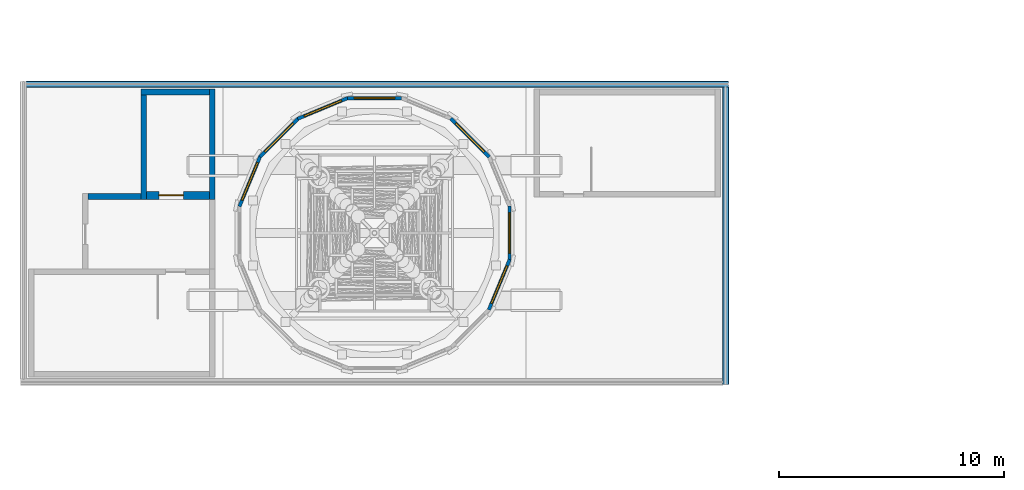
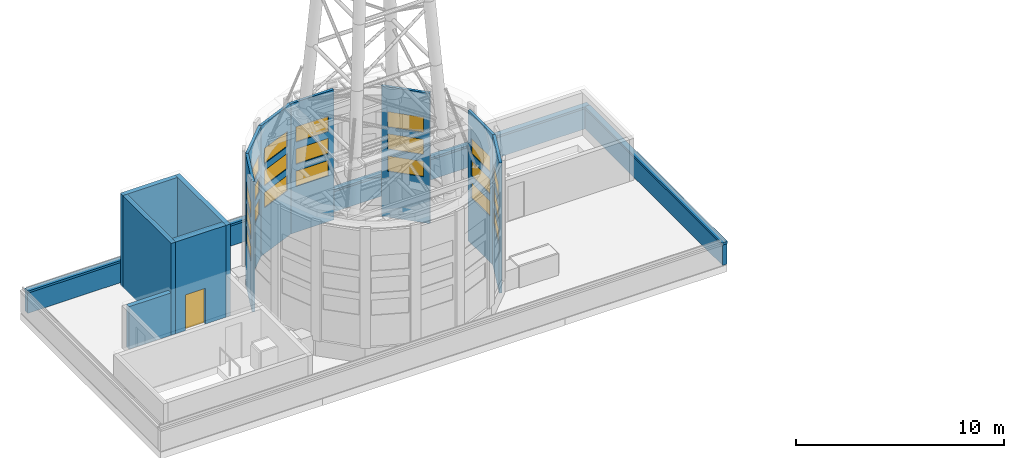
# One storey, part 12 of 36: 21 windows, 16 walls, 1 door, 22 openings.
"""IFC4 building model written with IfcOpenShell, lengths in metres."""

from ifc_helpers import new_model, si_unit, direction, frame, frame_2d, origin, place, context, subcontext, project, spatial, rectangle, extrude, material, layer, layer_set, type_object, element, fill, save


model = new_model("IFC4")

# Units and contexts
model_context = context("Model", 3, precision=1e-05, world=origin(), true_north=direction((0.0, 1.0)))
body_context = subcontext(model_context, "Body", "Model", "MODEL_VIEW")
ifc_project = project(units=[si_unit("LENGTHUNIT", "METRE"), si_unit("AREAUNIT", "SQUARE_METRE"), si_unit("VOLUMEUNIT", "CUBIC_METRE"), si_unit("PLANEANGLEUNIT", "RADIAN"), si_unit("MASSUNIT", "GRAM", prefix="KILO")], contexts=[model_context])

# Site, building, storey
site_placement = place(None, origin())
site = spatial("IfcSite", under=ifc_project, at=site_placement, CompositionType="ELEMENT")
building_placement = place(site_placement, origin())
building = spatial("IfcBuilding", under=site, at=building_placement, Name="Ipe Terrace Towers", CompositionType="ELEMENT")
storey_placement = place(building_placement, frame((0.0, 0.0, 264.89990234375)))
storey = spatial("IfcBuildingStorey", under=building, at=storey_placement, Name="Roof", CompositionType="ELEMENT", Elevation=264.89990234375)

# Walls
ifc_material_1 = material(Name="Concrete C40/50 with buff precast cladding", Category="concrete")
ifc_layer_1 = layer(ifc_material_1, 0.300048828125)
ifc_layer_set_1 = layer_set([ifc_layer_1], Name="PARAPET COPING 300")
wall_type_1 = type_object("IfcWallType", Name="PARAPET COPING 300", PredefinedType="STANDARD", material=ifc_layer_set_1)
wall_1_placement = place(storey_placement, frame((-20.375, -6.75, 1.239990234375), z_axis=(0.0, 0.0, 1.0), x_axis=(0.0, 1.0, 0.0)))
element("IfcWall", 1, at=wall_1_placement, inside=storey, type_object=wall_type_1, Name="parapet stone coping", PredefinedType="STANDARD", context=body_context, shape_type="SweptSolid", body=[
    extrude(rectangle(XDim=13.25, YDim=0.300048828125, at=frame_2d((6.625, 0.0))), origin(), (0.0, 0.0, 1.0), 0.1201171875),
])
wall_2_placement = place(storey_placement, frame((-20.25, 6.625, 1.239990234375), z_axis=(0.0, 0.0, 1.0), x_axis=(-1.0, 0.0, 0.0)))
element("IfcWall", 2, at=wall_2_placement, inside=storey, type_object=wall_type_1, Name="parapet stone coping", PredefinedType="STANDARD", context=body_context, shape_type="SweptSolid", body=[
    extrude(rectangle(XDim=31.25, YDim=0.300048828125, at=frame_2d((15.625, 0.0))), origin(), (0.0, 0.0, 1.0), 0.1201171875),
])
ifc_material_2 = material(Name="Concrete C40/50 with buff precast cladding", Category="concrete")
ifc_layer_2 = layer(ifc_material_2, 0.25)
ifc_layer_set_2 = layer_set([ifc_layer_2], Name="PARAPET WALL 250")
wall_type_2 = type_object("IfcWallType", Name="PARAPET WALL 250", PredefinedType="STANDARD", material=ifc_layer_set_2)
wall_3_placement = place(storey_placement, frame((-20.375, -6.75, 0.0400390625), z_axis=(0.0, 0.0, 1.0), x_axis=(0.0, 1.0, 0.0)))
element("IfcWall", 3, at=wall_3_placement, inside=storey, type_object=wall_type_2, Name="parapet", PredefinedType="STANDARD", context=body_context, shape_type="SweptSolid", body=[
    extrude(rectangle(XDim=13.25, YDim=0.25, at=frame_2d((6.625, 0.0))), origin(), (0.0, 0.0, 1.0), 1.199951171875),
])
wall_4_placement = place(storey_placement, frame((-20.25, 6.625, 0.0400390625), z_axis=(0.0, 0.0, 1.0), x_axis=(-1.0, 0.0, 0.0)))
element("IfcWall", 4, at=wall_4_placement, inside=storey, type_object=wall_type_2, Name="parapet", PredefinedType="STANDARD", context=body_context, shape_type="SweptSolid", body=[
    extrude(rectangle(XDim=31.25, YDim=0.25, at=frame_2d((15.625, 0.0))), origin(), (0.0, 0.0, 1.0), 1.199951171875),
])

# Wall, openings, windows
ifc_material_3 = material(Name="Concrete C40/50 with buff precast cladding", Category="concrete")
ifc_layer_3 = layer(ifc_material_3, 0.14990234375)
ifc_layer_set_3 = layer_set([ifc_layer_3], Name="PLANT DRUM WALL 150")
wall_type_3 = type_object("IfcWallType", Name="PLANT DRUM WALL 150", PredefinedType="STANDARD", material=ifc_layer_set_3)
wall_5_placement = place(storey_placement, frame((-30.89794921875, 3.39208984375, 0.0400390625), z_axis=(0.0, 0.0, 1.0), x_axis=(-0.707106781187, 0.707106781187, 0.0)))
wall_5 = element("IfcWall", 5, at=wall_5_placement, inside=storey, type_object=wall_type_3, Name="plant drum wall", PredefinedType="STANDARD", context=body_context, shape_type="SweptSolid", body=[
    extrude(rectangle(XDim=2.418212890625, YDim=0.14990234375, at=frame_2d((1.208984375, 0.0))), origin(), (0.0, 0.0, 1.0), 7.66015625),
])
opening_1_placement = place(wall_5_placement, frame((0.31005859375, 0.0, 2.699951171875)))
opening_1 = element("IfcOpeningElement", 6, at=opening_1_placement, cuts=wall_5, Name="Opening T1-W-04-DR-011", PredefinedType="OPENING", context=body_context, shape_type="SweptSolid", body=[
    extrude(rectangle(XDim=1.800048828125, YDim=0.89990234375, at=frame_2d((0.89990234375, 0.449951171875))), frame((0.0, 0.0849609375, 0.0), z_axis=(0.0, -1.0, 0.0), x_axis=(1.0, 0.0, 0.0)), (0.0, 0.0, 1.0), 0.169921875),
])
opening_2_placement = place(wall_5_placement, frame((0.31005859375, 0.0, 4.0)))
opening_2 = element("IfcOpeningElement", 7, at=opening_2_placement, cuts=wall_5, Name="Opening T1-W-04-DR-012", PredefinedType="OPENING", context=body_context, shape_type="SweptSolid", body=[
    extrude(rectangle(XDim=1.800048828125, YDim=0.89990234375, at=frame_2d((0.89990234375, 0.449951171875))), frame((0.0, 0.0849609375, 0.0), z_axis=(0.0, -1.0, 0.0), x_axis=(1.0, 0.0, 0.0)), (0.0, 0.0, 1.0), 0.169921875),
])
opening_3_placement = place(wall_5_placement, frame((0.31005859375, 0.0, 5.300048828125)))
opening_3 = element("IfcOpeningElement", 8, at=opening_3_placement, cuts=wall_5, Name="Opening T1-W-04-DR-013", PredefinedType="OPENING", context=body_context, shape_type="SweptSolid", body=[
    extrude(rectangle(XDim=1.800048828125, YDim=0.89990234375, at=frame_2d((0.89990234375, 0.449951171875))), frame((0.0, 0.0849609375, 0.0), z_axis=(0.0, -1.0, 0.0), x_axis=(1.0, 0.0, 0.0)), (0.0, 0.0, 1.0), 0.169921875),
])
ifc_material_4 = material(Name="Aluminium alloy 6063-T6 louvre", Category="aluminium")
window_type = type_object("IfcWindowType", Name="LOUVRE WINDOW 1800 x 900", PartitioningType="SINGLE_PANEL", PredefinedType="WINDOW", material=ifc_material_4)
window_1_placement = place(opening_1_placement, origin())
window_1 = element("IfcWindow", 9, at=window_1_placement, inside=storey, type_object=window_type, Name="W-04 window", OverallHeight=0.89990234375, OverallWidth=1.800048828125, PartitioningType="SINGLE_PANEL", PredefinedType="WINDOW", context=body_context, shape_type="SweptSolid", body=[
    extrude(rectangle(XDim=1.800048828125, YDim=0.89990234375, at=frame_2d((0.89990234375, 0.449951171875))), frame((0.0, 0.030029296875, 0.0), z_axis=(0.0, -1.0, 0.0), x_axis=(1.0, 0.0, 0.0)), (0.0, 0.0, 1.0), 0.06005859375),
])
fill(opening_1, window_1)
window_2_placement = place(opening_2_placement, origin())
window_2 = element("IfcWindow", 10, at=window_2_placement, inside=storey, type_object=window_type, Name="W-04 window", OverallHeight=0.89990234375, OverallWidth=1.800048828125, PartitioningType="SINGLE_PANEL", PredefinedType="WINDOW", context=body_context, shape_type="SweptSolid", body=[
    extrude(rectangle(XDim=1.800048828125, YDim=0.89990234375, at=frame_2d((0.89990234375, 0.449951171875))), frame((0.0, 0.030029296875, 0.0), z_axis=(0.0, -1.0, 0.0), x_axis=(1.0, 0.0, 0.0)), (0.0, 0.0, 1.0), 0.06005859375),
])
fill(opening_2, window_2)
window_3_placement = place(opening_3_placement, origin())
window_3 = element("IfcWindow", 11, at=window_3_placement, inside=storey, type_object=window_type, Name="W-04 window", OverallHeight=0.89990234375, OverallWidth=1.800048828125, PartitioningType="SINGLE_PANEL", PredefinedType="WINDOW", context=body_context, shape_type="SweptSolid", body=[
    extrude(rectangle(XDim=1.800048828125, YDim=0.89990234375, at=frame_2d((0.89990234375, 0.449951171875))), frame((0.0, 0.030029296875, 0.0), z_axis=(0.0, -1.0, 0.0), x_axis=(1.0, 0.0, 0.0)), (0.0, 0.0, 1.0), 0.06005859375),
])
fill(opening_3, window_3)

wall_6_placement = place(storey_placement, frame((-34.7900390625, 6.006103515625, 0.0400390625), z_axis=(0.0, 0.0, 1.0), x_axis=(-1.0, 0.0, 0.0)))
wall_6 = element("IfcWall", 12, at=wall_6_placement, inside=storey, type_object=wall_type_3, Name="plant drum wall", PredefinedType="STANDARD", context=body_context, shape_type="SweptSolid", body=[
    extrude(rectangle(XDim=2.419921875, YDim=0.14990234375, at=frame_2d((1.2099609375, 0.0))), origin(), (0.0, 0.0, 1.0), 7.66015625),
])
opening_4_placement = place(wall_6_placement, frame((0.31005859375, 0.0, 2.699951171875)))
opening_4 = element("IfcOpeningElement", 13, at=opening_4_placement, cuts=wall_6, Name="Opening T1-W-04-DR-031", PredefinedType="OPENING", context=body_context, shape_type="SweptSolid", body=[
    extrude(rectangle(XDim=1.800048828125, YDim=0.89990234375, at=frame_2d((0.89990234375, 0.449951171875))), frame((0.0, 0.0849609375, 0.0), z_axis=(0.0, -1.0, 0.0), x_axis=(1.0, 0.0, 0.0)), (0.0, 0.0, 1.0), 0.169921875),
])
opening_5_placement = place(wall_6_placement, frame((0.31005859375, 0.0, 4.0)))
opening_5 = element("IfcOpeningElement", 14, at=opening_5_placement, cuts=wall_6, Name="Opening T1-W-04-DR-032", PredefinedType="OPENING", context=body_context, shape_type="SweptSolid", body=[
    extrude(rectangle(XDim=1.800048828125, YDim=0.89990234375, at=frame_2d((0.89990234375, 0.449951171875))), frame((0.0, 0.0849609375, 0.0), z_axis=(0.0, -1.0, 0.0), x_axis=(1.0, 0.0, 0.0)), (0.0, 0.0, 1.0), 0.169921875),
])
opening_6_placement = place(wall_6_placement, frame((0.31005859375, 0.0, 5.300048828125)))
opening_6 = element("IfcOpeningElement", 15, at=opening_6_placement, cuts=wall_6, Name="Opening T1-W-04-DR-033", PredefinedType="OPENING", context=body_context, shape_type="SweptSolid", body=[
    extrude(rectangle(XDim=1.800048828125, YDim=0.89990234375, at=frame_2d((0.89990234375, 0.449951171875))), frame((0.0, 0.0849609375, 0.0), z_axis=(0.0, -1.0, 0.0), x_axis=(1.0, 0.0, 0.0)), (0.0, 0.0, 1.0), 0.169921875),
])
window_4_placement = place(opening_4_placement, origin())
window_4 = element("IfcWindow", 16, at=window_4_placement, inside=storey, type_object=window_type, Name="W-04 window", OverallHeight=0.89990234375, OverallWidth=1.800048828125, PartitioningType="SINGLE_PANEL", PredefinedType="WINDOW", context=body_context, shape_type="SweptSolid", body=[
    extrude(rectangle(XDim=1.800048828125, YDim=0.89990234375, at=frame_2d((0.89990234375, 0.449951171875))), frame((0.0, 0.030029296875, 0.0), z_axis=(0.0, -1.0, 0.0), x_axis=(1.0, 0.0, 0.0)), (0.0, 0.0, 1.0), 0.06005859375),
])
fill(opening_4, window_4)
window_5_placement = place(opening_5_placement, origin())
window_5 = element("IfcWindow", 17, at=window_5_placement, inside=storey, type_object=window_type, Name="W-04 window", OverallHeight=0.89990234375, OverallWidth=1.800048828125, PartitioningType="SINGLE_PANEL", PredefinedType="WINDOW", context=body_context, shape_type="SweptSolid", body=[
    extrude(rectangle(XDim=1.800048828125, YDim=0.89990234375, at=frame_2d((0.89990234375, 0.449951171875))), frame((0.0, 0.030029296875, 0.0), z_axis=(0.0, -1.0, 0.0), x_axis=(1.0, 0.0, 0.0)), (0.0, 0.0, 1.0), 0.06005859375),
])
fill(opening_5, window_5)
window_6_placement = place(opening_6_placement, origin())
window_6 = element("IfcWindow", 18, at=window_6_placement, inside=storey, type_object=window_type, Name="W-04 window", OverallHeight=0.89990234375, OverallWidth=1.800048828125, PartitioningType="SINGLE_PANEL", PredefinedType="WINDOW", context=body_context, shape_type="SweptSolid", body=[
    extrude(rectangle(XDim=1.800048828125, YDim=0.89990234375, at=frame_2d((0.89990234375, 0.449951171875))), frame((0.0, 0.030029296875, 0.0), z_axis=(0.0, -1.0, 0.0), x_axis=(1.0, 0.0, 0.0)), (0.0, 0.0, 1.0), 0.06005859375),
])
fill(opening_6, window_6)

wall_7_placement = place(storey_placement, frame((-37.180908203125, 6.011962890625, 0.0400390625), z_axis=(0.0, 0.0, 1.0), x_axis=(-0.923848317251, -0.382758783979, 0.0)))
wall_7 = element("IfcWall", 19, at=wall_7_placement, inside=storey, type_object=wall_type_3, Name="plant drum wall", PredefinedType="STANDARD", context=body_context, shape_type="SweptSolid", body=[
    extrude(rectangle(XDim=2.41943359375, YDim=0.14990234375, at=frame_2d((1.209716796875, 0.0))), origin(), (0.0, 0.0, 1.0), 7.66015625),
])
opening_7_placement = place(wall_7_placement, frame((0.31005859375, 0.0, 2.699951171875)))
opening_7 = element("IfcOpeningElement", 20, at=opening_7_placement, cuts=wall_7, Name="Opening T1-W-04-DR-041", PredefinedType="OPENING", context=body_context, shape_type="SweptSolid", body=[
    extrude(rectangle(XDim=1.800048828125, YDim=0.89990234375, at=frame_2d((0.89990234375, 0.449951171875))), frame((0.0, 0.0849609375, 0.0), z_axis=(0.0, -1.0, 0.0), x_axis=(1.0, 0.0, 0.0)), (0.0, 0.0, 1.0), 0.169921875),
])
opening_8_placement = place(wall_7_placement, frame((0.31005859375, 0.0, 4.0)))
opening_8 = element("IfcOpeningElement", 21, at=opening_8_placement, cuts=wall_7, Name="Opening T1-W-04-DR-042", PredefinedType="OPENING", context=body_context, shape_type="SweptSolid", body=[
    extrude(rectangle(XDim=1.800048828125, YDim=0.89990234375, at=frame_2d((0.89990234375, 0.449951171875))), frame((0.0, 0.0849609375, 0.0), z_axis=(0.0, -1.0, 0.0), x_axis=(1.0, 0.0, 0.0)), (0.0, 0.0, 1.0), 0.169921875),
])
opening_9_placement = place(wall_7_placement, frame((0.31005859375, 0.0, 5.300048828125)))
opening_9 = element("IfcOpeningElement", 22, at=opening_9_placement, cuts=wall_7, Name="Opening T1-W-04-DR-043", PredefinedType="OPENING", context=body_context, shape_type="SweptSolid", body=[
    extrude(rectangle(XDim=1.800048828125, YDim=0.89990234375, at=frame_2d((0.89990234375, 0.449951171875))), frame((0.0, 0.0849609375, 0.0), z_axis=(0.0, -1.0, 0.0), x_axis=(1.0, 0.0, 0.0)), (0.0, 0.0, 1.0), 0.169921875),
])
window_7_placement = place(opening_7_placement, origin())
window_7 = element("IfcWindow", 23, at=window_7_placement, inside=storey, type_object=window_type, Name="W-04 window", OverallHeight=0.89990234375, OverallWidth=1.800048828125, PartitioningType="SINGLE_PANEL", PredefinedType="WINDOW", context=body_context, shape_type="SweptSolid", body=[
    extrude(rectangle(XDim=1.800048828125, YDim=0.89990234375, at=frame_2d((0.89990234375, 0.449951171875))), frame((0.0, 0.030029296875, 0.0), z_axis=(0.0, -1.0, 0.0), x_axis=(1.0, 0.0, 0.0)), (0.0, 0.0, 1.0), 0.06005859375),
])
fill(opening_7, window_7)
window_8_placement = place(opening_8_placement, origin())
window_8 = element("IfcWindow", 24, at=window_8_placement, inside=storey, type_object=window_type, Name="W-04 window", OverallHeight=0.89990234375, OverallWidth=1.800048828125, PartitioningType="SINGLE_PANEL", PredefinedType="WINDOW", context=body_context, shape_type="SweptSolid", body=[
    extrude(rectangle(XDim=1.800048828125, YDim=0.89990234375, at=frame_2d((0.89990234375, 0.449951171875))), frame((0.0, 0.030029296875, 0.0), z_axis=(0.0, -1.0, 0.0), x_axis=(1.0, 0.0, 0.0)), (0.0, 0.0, 1.0), 0.06005859375),
])
fill(opening_8, window_8)
window_9_placement = place(opening_9_placement, origin())
window_9 = element("IfcWindow", 25, at=window_9_placement, inside=storey, type_object=window_type, Name="W-04 window", OverallHeight=0.89990234375, OverallWidth=1.800048828125, PartitioningType="SINGLE_PANEL", PredefinedType="WINDOW", context=body_context, shape_type="SweptSolid", body=[
    extrude(rectangle(XDim=1.800048828125, YDim=0.89990234375, at=frame_2d((0.89990234375, 0.449951171875))), frame((0.0, 0.030029296875, 0.0), z_axis=(0.0, -1.0, 0.0), x_axis=(1.0, 0.0, 0.0)), (0.0, 0.0, 1.0), 0.06005859375),
])
fill(opening_9, window_9)

wall_8_placement = place(storey_placement, frame((-39.39208984375, 5.10205078125, 0.0400390625), z_axis=(0.0, 0.0, 1.0), x_axis=(-0.707106781187, -0.707106781187, 0.0)))
wall_8 = element("IfcWall", 26, at=wall_8_placement, inside=storey, type_object=wall_type_3, Name="plant drum wall", PredefinedType="STANDARD", context=body_context, shape_type="SweptSolid", body=[
    extrude(rectangle(XDim=2.418212890625, YDim=0.14990234375, at=frame_2d((1.208984375, 0.0))), origin(), (0.0, 0.0, 1.0), 7.66015625),
])
opening_10_placement = place(wall_8_placement, frame((0.31005859375, 0.0, 2.699951171875)))
opening_10 = element("IfcOpeningElement", 27, at=opening_10_placement, cuts=wall_8, Name="Opening T1-W-04-DR-051", PredefinedType="OPENING", context=body_context, shape_type="SweptSolid", body=[
    extrude(rectangle(XDim=1.800048828125, YDim=0.89990234375, at=frame_2d((0.89990234375, 0.449951171875))), frame((0.0, 0.0849609375, 0.0), z_axis=(0.0, -1.0, 0.0), x_axis=(1.0, 0.0, 0.0)), (0.0, 0.0, 1.0), 0.169921875),
])
opening_11_placement = place(wall_8_placement, frame((0.31005859375, 0.0, 4.0)))
opening_11 = element("IfcOpeningElement", 28, at=opening_11_placement, cuts=wall_8, Name="Opening T1-W-04-DR-052", PredefinedType="OPENING", context=body_context, shape_type="SweptSolid", body=[
    extrude(rectangle(XDim=1.800048828125, YDim=0.89990234375, at=frame_2d((0.89990234375, 0.449951171875))), frame((0.0, 0.0849609375, 0.0), z_axis=(0.0, -1.0, 0.0), x_axis=(1.0, 0.0, 0.0)), (0.0, 0.0, 1.0), 0.169921875),
])
opening_12_placement = place(wall_8_placement, frame((0.31005859375, 0.0, 5.300048828125)))
opening_12 = element("IfcOpeningElement", 29, at=opening_12_placement, cuts=wall_8, Name="Opening T1-W-04-DR-053", PredefinedType="OPENING", context=body_context, shape_type="SweptSolid", body=[
    extrude(rectangle(XDim=1.800048828125, YDim=0.89990234375, at=frame_2d((0.89990234375, 0.449951171875))), frame((0.0, 0.0849609375, 0.0), z_axis=(0.0, -1.0, 0.0), x_axis=(1.0, 0.0, 0.0)), (0.0, 0.0, 1.0), 0.169921875),
])
window_10_placement = place(opening_10_placement, origin())
window_10 = element("IfcWindow", 30, at=window_10_placement, inside=storey, type_object=window_type, Name="W-04 window", OverallHeight=0.89990234375, OverallWidth=1.800048828125, PartitioningType="SINGLE_PANEL", PredefinedType="WINDOW", context=body_context, shape_type="SweptSolid", body=[
    extrude(rectangle(XDim=1.800048828125, YDim=0.89990234375, at=frame_2d((0.89990234375, 0.449951171875))), frame((0.0, 0.030029296875, 0.0), z_axis=(0.0, -1.0, 0.0), x_axis=(1.0, 0.0, 0.0)), (0.0, 0.0, 1.0), 0.06005859375),
])
fill(opening_10, window_10)
window_11_placement = place(opening_11_placement, origin())
window_11 = element("IfcWindow", 31, at=window_11_placement, inside=storey, type_object=window_type, Name="W-04 window", OverallHeight=0.89990234375, OverallWidth=1.800048828125, PartitioningType="SINGLE_PANEL", PredefinedType="WINDOW", context=body_context, shape_type="SweptSolid", body=[
    extrude(rectangle(XDim=1.800048828125, YDim=0.89990234375, at=frame_2d((0.89990234375, 0.449951171875))), frame((0.0, 0.030029296875, 0.0), z_axis=(0.0, -1.0, 0.0), x_axis=(1.0, 0.0, 0.0)), (0.0, 0.0, 1.0), 0.06005859375),
])
fill(opening_11, window_11)
window_12_placement = place(opening_12_placement, origin())
window_12 = element("IfcWindow", 32, at=window_12_placement, inside=storey, type_object=window_type, Name="W-04 window", OverallHeight=0.89990234375, OverallWidth=1.800048828125, PartitioningType="SINGLE_PANEL", PredefinedType="WINDOW", context=body_context, shape_type="SweptSolid", body=[
    extrude(rectangle(XDim=1.800048828125, YDim=0.89990234375, at=frame_2d((0.89990234375, 0.449951171875))), frame((0.0, 0.030029296875, 0.0), z_axis=(0.0, -1.0, 0.0), x_axis=(1.0, 0.0, 0.0)), (0.0, 0.0, 1.0), 0.06005859375),
])
fill(opening_12, window_12)

wall_9_placement = place(storey_placement, frame((-41.0859375, 3.416015625, 0.0400390625), z_axis=(0.0, 0.0, 1.0), x_axis=(-0.382758783979, -0.923848317251, 0.0)))
wall_9 = element("IfcWall", 33, at=wall_9_placement, inside=storey, type_object=wall_type_3, Name="plant drum wall", PredefinedType="STANDARD", context=body_context, shape_type="SweptSolid", body=[
    extrude(rectangle(XDim=2.41943359375, YDim=0.14990234375, at=frame_2d((1.209716796875, 0.0))), origin(), (0.0, 0.0, 1.0), 7.66015625),
])
opening_13_placement = place(wall_9_placement, frame((0.31005859375, 0.0, 2.699951171875)))
opening_13 = element("IfcOpeningElement", 34, at=opening_13_placement, cuts=wall_9, Name="Opening T1-W-04-DR-061", PredefinedType="OPENING", context=body_context, shape_type="SweptSolid", body=[
    extrude(rectangle(XDim=1.800048828125, YDim=0.89990234375, at=frame_2d((0.89990234375, 0.449951171875))), frame((0.0, 0.0849609375, 0.0), z_axis=(0.0, -1.0, 0.0), x_axis=(1.0, 0.0, 0.0)), (0.0, 0.0, 1.0), 0.169921875),
])
opening_14_placement = place(wall_9_placement, frame((0.31005859375, 0.0, 4.0)))
opening_14 = element("IfcOpeningElement", 35, at=opening_14_placement, cuts=wall_9, Name="Opening T1-W-04-DR-062", PredefinedType="OPENING", context=body_context, shape_type="SweptSolid", body=[
    extrude(rectangle(XDim=1.800048828125, YDim=0.89990234375, at=frame_2d((0.89990234375, 0.449951171875))), frame((0.0, 0.0849609375, 0.0), z_axis=(0.0, -1.0, 0.0), x_axis=(1.0, 0.0, 0.0)), (0.0, 0.0, 1.0), 0.169921875),
])
opening_15_placement = place(wall_9_placement, frame((0.31005859375, 0.0, 5.300048828125)))
opening_15 = element("IfcOpeningElement", 36, at=opening_15_placement, cuts=wall_9, Name="Opening T1-W-04-DR-063", PredefinedType="OPENING", context=body_context, shape_type="SweptSolid", body=[
    extrude(rectangle(XDim=1.800048828125, YDim=0.89990234375, at=frame_2d((0.89990234375, 0.449951171875))), frame((0.0, 0.0849609375, 0.0), z_axis=(0.0, -1.0, 0.0), x_axis=(1.0, 0.0, 0.0)), (0.0, 0.0, 1.0), 0.169921875),
])
window_13_placement = place(opening_13_placement, origin())
window_13 = element("IfcWindow", 37, at=window_13_placement, inside=storey, type_object=window_type, Name="W-04 window", OverallHeight=0.89990234375, OverallWidth=1.800048828125, PartitioningType="SINGLE_PANEL", PredefinedType="WINDOW", context=body_context, shape_type="SweptSolid", body=[
    extrude(rectangle(XDim=1.800048828125, YDim=0.89990234375, at=frame_2d((0.89990234375, 0.449951171875))), frame((0.0, 0.030029296875, 0.0), z_axis=(0.0, -1.0, 0.0), x_axis=(1.0, 0.0, 0.0)), (0.0, 0.0, 1.0), 0.06005859375),
])
fill(opening_13, window_13)
window_14_placement = place(opening_14_placement, origin())
window_14 = element("IfcWindow", 38, at=window_14_placement, inside=storey, type_object=window_type, Name="W-04 window", OverallHeight=0.89990234375, OverallWidth=1.800048828125, PartitioningType="SINGLE_PANEL", PredefinedType="WINDOW", context=body_context, shape_type="SweptSolid", body=[
    extrude(rectangle(XDim=1.800048828125, YDim=0.89990234375, at=frame_2d((0.89990234375, 0.449951171875))), frame((0.0, 0.030029296875, 0.0), z_axis=(0.0, -1.0, 0.0), x_axis=(1.0, 0.0, 0.0)), (0.0, 0.0, 1.0), 0.06005859375),
])
fill(opening_14, window_14)
window_15_placement = place(opening_15_placement, origin())
window_15 = element("IfcWindow", 39, at=window_15_placement, inside=storey, type_object=window_type, Name="W-04 window", OverallHeight=0.89990234375, OverallWidth=1.800048828125, PartitioningType="SINGLE_PANEL", PredefinedType="WINDOW", context=body_context, shape_type="SweptSolid", body=[
    extrude(rectangle(XDim=1.800048828125, YDim=0.89990234375, at=frame_2d((0.89990234375, 0.449951171875))), frame((0.0, 0.030029296875, 0.0), z_axis=(0.0, -1.0, 0.0), x_axis=(1.0, 0.0, 0.0)), (0.0, 0.0, 1.0), 0.06005859375),
])
fill(opening_15, window_15)

wall_10_placement = place(storey_placement, frame((-30.9140625, -3.416015625, 0.0400390625), z_axis=(0.0, 0.0, 1.0), x_axis=(0.382758783979, 0.923848317251, 0.0)))
wall_10 = element("IfcWall", 40, at=wall_10_placement, inside=storey, type_object=wall_type_3, Name="plant drum wall", PredefinedType="STANDARD", context=body_context, shape_type="SweptSolid", body=[
    extrude(rectangle(XDim=2.41943359375, YDim=0.14990234375, at=frame_2d((1.209716796875, 0.0))), origin(), (0.0, 0.0, 1.0), 7.66015625),
])
opening_16_placement = place(wall_10_placement, frame((0.31005859375, 0.0, 2.699951171875)))
opening_16 = element("IfcOpeningElement", 41, at=opening_16_placement, cuts=wall_10, Name="Opening T1-W-04-DR-141", PredefinedType="OPENING", context=body_context, shape_type="SweptSolid", body=[
    extrude(rectangle(XDim=1.800048828125, YDim=0.89990234375, at=frame_2d((0.89990234375, 0.449951171875))), frame((0.0, 0.0849609375, 0.0), z_axis=(0.0, -1.0, 0.0), x_axis=(1.0, 0.0, 0.0)), (0.0, 0.0, 1.0), 0.169921875),
])
opening_17_placement = place(wall_10_placement, frame((0.31005859375, 0.0, 4.0)))
opening_17 = element("IfcOpeningElement", 42, at=opening_17_placement, cuts=wall_10, Name="Opening T1-W-04-DR-142", PredefinedType="OPENING", context=body_context, shape_type="SweptSolid", body=[
    extrude(rectangle(XDim=1.800048828125, YDim=0.89990234375, at=frame_2d((0.89990234375, 0.449951171875))), frame((0.0, 0.0849609375, 0.0), z_axis=(0.0, -1.0, 0.0), x_axis=(1.0, 0.0, 0.0)), (0.0, 0.0, 1.0), 0.169921875),
])
opening_18_placement = place(wall_10_placement, frame((0.31005859375, 0.0, 5.300048828125)))
opening_18 = element("IfcOpeningElement", 43, at=opening_18_placement, cuts=wall_10, Name="Opening T1-W-04-DR-143", PredefinedType="OPENING", context=body_context, shape_type="SweptSolid", body=[
    extrude(rectangle(XDim=1.800048828125, YDim=0.89990234375, at=frame_2d((0.89990234375, 0.449951171875))), frame((0.0, 0.0849609375, 0.0), z_axis=(0.0, -1.0, 0.0), x_axis=(1.0, 0.0, 0.0)), (0.0, 0.0, 1.0), 0.169921875),
])
window_16_placement = place(opening_16_placement, origin())
window_16 = element("IfcWindow", 44, at=window_16_placement, inside=storey, type_object=window_type, Name="W-04 window", OverallHeight=0.89990234375, OverallWidth=1.800048828125, PartitioningType="SINGLE_PANEL", PredefinedType="WINDOW", context=body_context, shape_type="SweptSolid", body=[
    extrude(rectangle(XDim=1.800048828125, YDim=0.89990234375, at=frame_2d((0.89990234375, 0.449951171875))), frame((0.0, 0.030029296875, 0.0), z_axis=(0.0, -1.0, 0.0), x_axis=(1.0, 0.0, 0.0)), (0.0, 0.0, 1.0), 0.06005859375),
])
fill(opening_16, window_16)
window_17_placement = place(opening_17_placement, origin())
window_17 = element("IfcWindow", 45, at=window_17_placement, inside=storey, type_object=window_type, Name="W-04 window", OverallHeight=0.89990234375, OverallWidth=1.800048828125, PartitioningType="SINGLE_PANEL", PredefinedType="WINDOW", context=body_context, shape_type="SweptSolid", body=[
    extrude(rectangle(XDim=1.800048828125, YDim=0.89990234375, at=frame_2d((0.89990234375, 0.449951171875))), frame((0.0, 0.030029296875, 0.0), z_axis=(0.0, -1.0, 0.0), x_axis=(1.0, 0.0, 0.0)), (0.0, 0.0, 1.0), 0.06005859375),
])
fill(opening_17, window_17)
window_18_placement = place(opening_18_placement, origin())
window_18 = element("IfcWindow", 46, at=window_18_placement, inside=storey, type_object=window_type, Name="W-04 window", OverallHeight=0.89990234375, OverallWidth=1.800048828125, PartitioningType="SINGLE_PANEL", PredefinedType="WINDOW", context=body_context, shape_type="SweptSolid", body=[
    extrude(rectangle(XDim=1.800048828125, YDim=0.89990234375, at=frame_2d((0.89990234375, 0.449951171875))), frame((0.0, 0.030029296875, 0.0), z_axis=(0.0, -1.0, 0.0), x_axis=(1.0, 0.0, 0.0)), (0.0, 0.0, 1.0), 0.06005859375),
])
fill(opening_18, window_18)

wall_11_placement = place(storey_placement, frame((-29.993896484375, -1.2099609375, 0.0400390625), z_axis=(0.0, 0.0, 1.0), x_axis=(0.0, 1.0, 0.0)))
wall_11 = element("IfcWall", 47, at=wall_11_placement, inside=storey, type_object=wall_type_3, Name="plant drum wall", PredefinedType="STANDARD", context=body_context, shape_type="SweptSolid", body=[
    extrude(rectangle(XDim=2.419921875, YDim=0.14990234375, at=frame_2d((1.2099609375, 0.0))), origin(), (0.0, 0.0, 1.0), 7.66015625),
])
opening_19_placement = place(wall_11_placement, frame((0.31005859375, 0.0, 2.699951171875)))
opening_19 = element("IfcOpeningElement", 48, at=opening_19_placement, cuts=wall_11, Name="Opening T1-W-04-DR-151", PredefinedType="OPENING", context=body_context, shape_type="SweptSolid", body=[
    extrude(rectangle(XDim=1.800048828125, YDim=0.89990234375, at=frame_2d((0.89990234375, 0.449951171875))), frame((0.0, 0.0849609375, 0.0), z_axis=(0.0, -1.0, 0.0), x_axis=(1.0, 0.0, 0.0)), (0.0, 0.0, 1.0), 0.169921875),
])
opening_20_placement = place(wall_11_placement, frame((0.31005859375, 0.0, 4.0)))
opening_20 = element("IfcOpeningElement", 49, at=opening_20_placement, cuts=wall_11, Name="Opening T1-W-04-DR-152", PredefinedType="OPENING", context=body_context, shape_type="SweptSolid", body=[
    extrude(rectangle(XDim=1.800048828125, YDim=0.89990234375, at=frame_2d((0.89990234375, 0.449951171875))), frame((0.0, 0.0849609375, 0.0), z_axis=(0.0, -1.0, 0.0), x_axis=(1.0, 0.0, 0.0)), (0.0, 0.0, 1.0), 0.169921875),
])
opening_21_placement = place(wall_11_placement, frame((0.31005859375, 0.0, 5.300048828125)))
opening_21 = element("IfcOpeningElement", 50, at=opening_21_placement, cuts=wall_11, Name="Opening T1-W-04-DR-153", PredefinedType="OPENING", context=body_context, shape_type="SweptSolid", body=[
    extrude(rectangle(XDim=1.800048828125, YDim=0.89990234375, at=frame_2d((0.89990234375, 0.449951171875))), frame((0.0, 0.0849609375, 0.0), z_axis=(0.0, -1.0, 0.0), x_axis=(1.0, 0.0, 0.0)), (0.0, 0.0, 1.0), 0.169921875),
])
window_19_placement = place(opening_19_placement, origin())
window_19 = element("IfcWindow", 51, at=window_19_placement, inside=storey, type_object=window_type, Name="W-04 window", OverallHeight=0.89990234375, OverallWidth=1.800048828125, PartitioningType="SINGLE_PANEL", PredefinedType="WINDOW", context=body_context, shape_type="SweptSolid", body=[
    extrude(rectangle(XDim=1.800048828125, YDim=0.89990234375, at=frame_2d((0.89990234375, 0.449951171875))), frame((0.0, 0.030029296875, 0.0), z_axis=(0.0, -1.0, 0.0), x_axis=(1.0, 0.0, 0.0)), (0.0, 0.0, 1.0), 0.06005859375),
])
fill(opening_19, window_19)
window_20_placement = place(opening_20_placement, origin())
window_20 = element("IfcWindow", 52, at=window_20_placement, inside=storey, type_object=window_type, Name="W-04 window", OverallHeight=0.89990234375, OverallWidth=1.800048828125, PartitioningType="SINGLE_PANEL", PredefinedType="WINDOW", context=body_context, shape_type="SweptSolid", body=[
    extrude(rectangle(XDim=1.800048828125, YDim=0.89990234375, at=frame_2d((0.89990234375, 0.449951171875))), frame((0.0, 0.030029296875, 0.0), z_axis=(0.0, -1.0, 0.0), x_axis=(1.0, 0.0, 0.0)), (0.0, 0.0, 1.0), 0.06005859375),
])
fill(opening_20, window_20)
window_21_placement = place(opening_21_placement, origin())
window_21 = element("IfcWindow", 53, at=window_21_placement, inside=storey, type_object=window_type, Name="W-04 window", OverallHeight=0.89990234375, OverallWidth=1.800048828125, PartitioningType="SINGLE_PANEL", PredefinedType="WINDOW", context=body_context, shape_type="SweptSolid", body=[
    extrude(rectangle(XDim=1.800048828125, YDim=0.89990234375, at=frame_2d((0.89990234375, 0.449951171875))), frame((0.0, 0.030029296875, 0.0), z_axis=(0.0, -1.0, 0.0), x_axis=(1.0, 0.0, 0.0)), (0.0, 0.0, 1.0), 0.06005859375),
])
fill(opening_21, window_21)

# Walls
ifc_material_5 = material(Name="Concrete C40/50", Category="concrete")
ifc_layer_4 = layer(ifc_material_5, 0.25)
ifc_layer_set_4 = layer_set([ifc_layer_4], Name="RW250 STAIR HEAD-HOUSE WALL 250 C40-50")
wall_type_4 = type_object("IfcWallType", Name="RW250 STAIR HEAD-HOUSE WALL 250 C40-50", PredefinedType="SHEAR", material=ifc_layer_set_4)
wall_12_placement = place(storey_placement, frame((-43.22509765625, 6.39990234375, 0.0), z_axis=(0.0, 0.0, 1.0), x_axis=(0.0, -1.0, 0.0)))
element("IfcWall", 54, at=wall_12_placement, inside=storey, type_object=wall_type_4, Name="Lift head-house wall T1-C2-near-shaft", PredefinedType="SHEAR", context=body_context, shape_type="SweptSolid", body=[
    extrude(rectangle(XDim=4.89990234375, YDim=0.25, at=frame_2d((2.449951171875, 0.0))), origin(), (0.0, 0.0, 1.0), 5.400146484375),
])
wall_13_placement = place(storey_placement, frame((-43.35009765625, 6.27490234375, 0.0), z_axis=(0.0, 0.0, 1.0), x_axis=(-1.0, 0.0, 0.0)))
element("IfcWall", 55, at=wall_13_placement, inside=storey, type_object=wall_type_4, Name="Lift head-house wall T1-C2-back", PredefinedType="SHEAR", context=body_context, shape_type="SweptSolid", body=[
    extrude(rectangle(XDim=3.0498046875, YDim=0.25, at=frame_2d((1.52490234375, 0.0))), origin(), (0.0, 0.0, 1.0), 5.400146484375),
])
wall_14_placement = place(storey_placement, frame((-46.27490234375, 6.14990234375, 0.0), z_axis=(0.0, 0.0, 1.0), x_axis=(0.0, -1.0, 0.0)))
element("IfcWall", 56, at=wall_14_placement, inside=storey, type_object=wall_type_4, Name="Lift head-house wall T1-C2-divider", PredefinedType="SHEAR", context=body_context, shape_type="SweptSolid", body=[
    extrude(rectangle(XDim=4.64990234375, YDim=0.25, at=frame_2d((2.324951171875, 0.0))), origin(), (0.0, 0.0, 1.0), 5.400146484375),
])
wall_15_placement = place(storey_placement, frame((-46.39990234375, 1.625, 0.0), z_axis=(0.0, 0.0, 1.0), x_axis=(-1.0, 0.0, 0.0)))
element("IfcWall", 57, at=wall_15_placement, inside=storey, type_object=wall_type_4, Name="Lift head-house wall T1-C2-south", PredefinedType="SHEAR", context=body_context, shape_type="SweptSolid", body=[
    extrude(rectangle(XDim=2.35009765625, YDim=0.25, at=frame_2d((1.175048828125, 0.0))), origin(), (0.0, 0.0, 1.0), 2.5),
])

# Wall, opening, door
ifc_material_6 = material(Name="Concrete C40/50", Category="concrete")
ifc_layer_5 = layer(ifc_material_6, 0.35009765625)
ifc_layer_set_5 = layer_set([ifc_layer_5], Name="RW350 LIFT HEAD-HOUSE WALL 350 C40-50")
wall_type_5 = type_object("IfcWallType", Name="RW350 LIFT HEAD-HOUSE WALL 350 C40-50", PredefinedType="SHEAR", material=ifc_layer_set_5)
wall_16_placement = place(storey_placement, frame((-43.35009765625, 1.675048828125, 0.0), z_axis=(0.0, 0.0, 1.0), x_axis=(-1.0, 0.0, 0.0)))
wall_16 = element("IfcWall", 58, at=wall_16_placement, inside=storey, type_object=wall_type_5, Name="Lift head-house wall T1-C2-spine", PredefinedType="SHEAR", context=body_context, shape_type="SweptSolid", body=[
    extrude(rectangle(XDim=2.7998046875, YDim=0.35009765625, at=frame_2d((1.39990234375, 0.0))), origin(), (0.0, 0.0, 1.0), 5.400146484375),
])
opening_22_placement = place(wall_16_placement, frame((1.14990234375, 0.0, 0.0)))
opening_22 = element("IfcOpeningElement", 59, at=opening_22_placement, cuts=wall_16, Name="Opening T1C2-LD1", PredefinedType="OPENING", context=body_context, shape_type="SweptSolid", body=[
    extrude(rectangle(XDim=1.10009765625, YDim=2.10009765625, at=frame_2d((0.550048828125, 1.050048828125))), frame((0.0, 0.18505859375, 0.0), z_axis=(0.0, -1.0, 0.0), x_axis=(1.0, 0.0, 0.0)), (0.0, 0.0, 1.0), 0.3701171875),
])
ifc_material_7 = material(Name="Fire-rated timber door leaf", Category="wood")
door_type = type_object("IfcDoorType", Name="Sliding door 1100 x 2100 FD60", OperationType="SLIDING_TO_LEFT", PredefinedType="DOOR", material=ifc_material_7)
door_placement = place(opening_22_placement, origin())
door = element("IfcDoor", 60, at=door_placement, inside=storey, type_object=door_type, Name="Sliding door T1C2-LD1", OperationType="SLIDING_TO_LEFT", OverallHeight=2.10009765625, OverallWidth=1.10009765625, PredefinedType="DOOR", context=body_context, shape_type="SweptSolid", body=[
    extrude(rectangle(XDim=1.10009765625, YDim=2.10009765625, at=frame_2d((0.550048828125, 1.050048828125))), frame((0.0, 0.02490234375, 0.0), z_axis=(0.0, -1.0, 0.0), x_axis=(1.0, 0.0, 0.0)), (0.0, 0.0, 1.0), 0.050048828125),
])
fill(opening_22, door)

save(model, "model.ifc")
